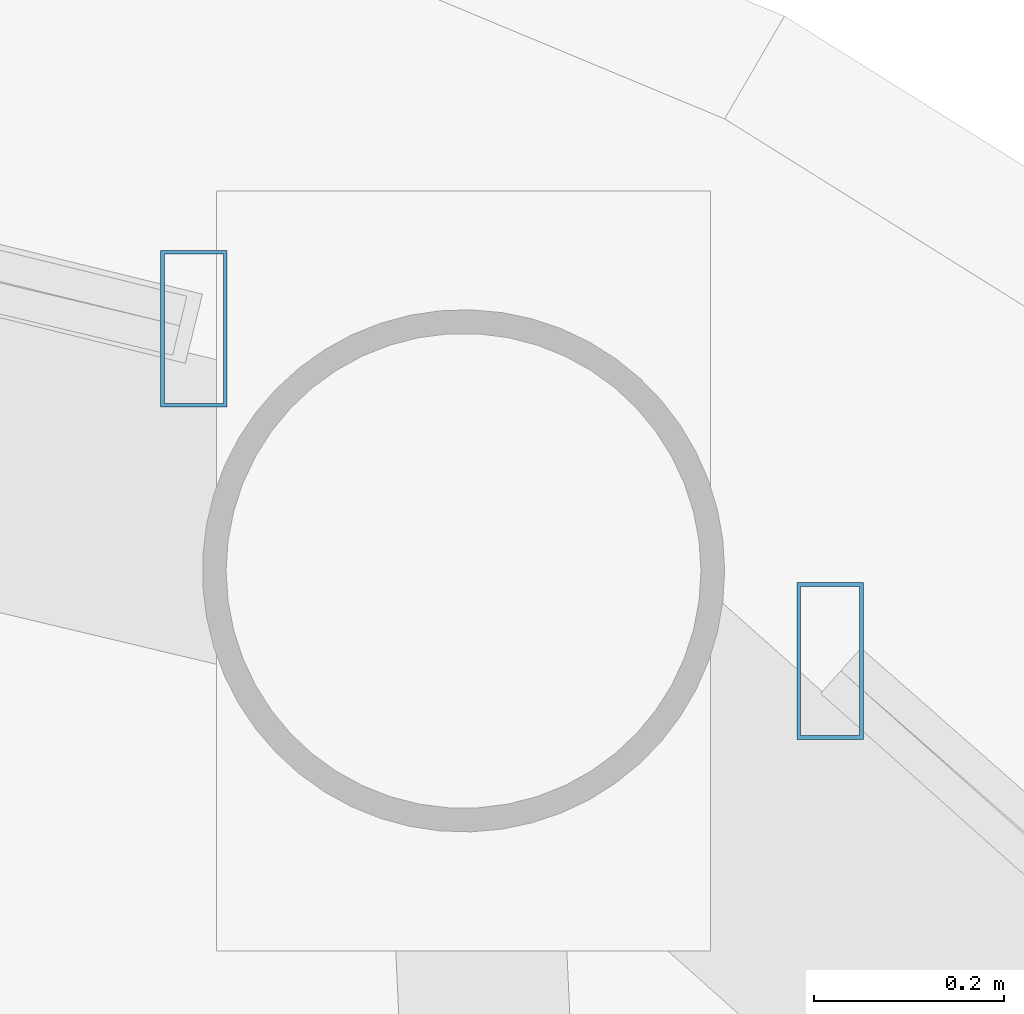
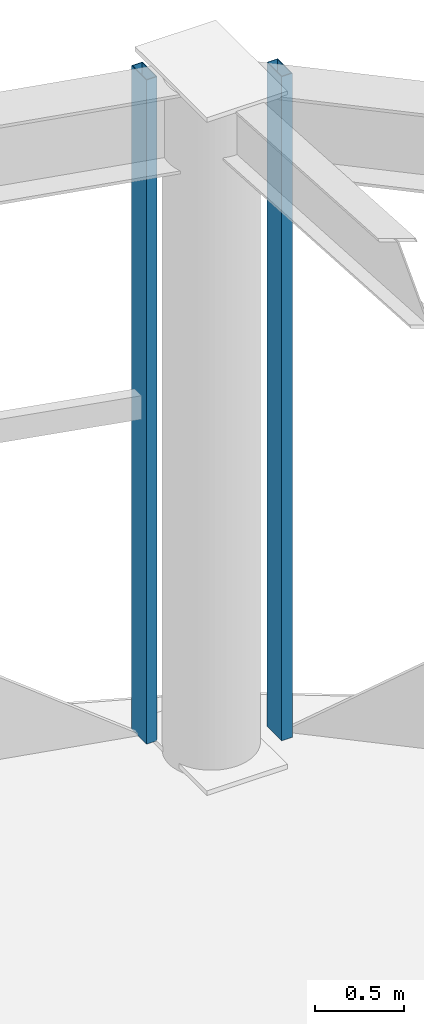
# One storey, part 11 of 22: 2 members, 2 elements without a shape of their own.
"""IFC4 building model written with IfcOpenShell, lengths in metres."""

import ifcopenshell
import ifcopenshell.guid

model = None  # the IFC model being written
_history = None  # IfcOwnerHistory: only IFC2X3 demands one
_inside = {}  # id of a spatial element -> (the spatial element, [elements in it])
_under = {}  # id of a project, library or spatial element -> (it, [spatial elements below it])
_declared = {}  # id of a project -> (the project, [libraries it declares])
_typed = {}  # id of a type object -> (the type object, [elements of that type])
_made_of = {}  # id of a material, layer set ... -> (it, [elements and type objects made of it])


def new_model(schema):
    """Start an empty IFC model of exactly this schema.

    Asked for "IFC4X3", IfcOpenShell would pick the latest addendum, in which some entities
    have other attributes; the version numbers below select the first issue.
    IFC2X3 requires an IfcOwnerHistory on every rooted entity: one is made here for all.
    """
    global model, _history
    if schema == "IFC4X3":
        model = ifcopenshell.file(schema_version=(4, 3, 0, 0))
    else:
        model = ifcopenshell.file(schema=schema)
    _inside.clear()
    _under.clear()
    _declared.clear()
    _typed.clear()
    _made_of.clear()
    _history = None
    if model.schema == "IFC2X3":
        org = make("IfcOrganization", Name="unknown")
        user = make(
            "IfcPersonAndOrganization",
            ThePerson=make("IfcPerson", FamilyName="unknown"),
            TheOrganization=org,
        )
        app = make(
            "IfcApplication",
            ApplicationDeveloper=org,
            Version="unknown",
            ApplicationFullName="unknown",
            ApplicationIdentifier="unknown",
        )
        _history = make(
            "IfcOwnerHistory",
            OwningUser=user,
            OwningApplication=app,
            ChangeAction="ADDED",
            CreationDate=0,
        )
    return model


def make(cls, **values):
    """One entity of the class cls with the attributes given. An attribute that is None is left unset."""
    return model.create_entity(
        cls, **{name: value for name, value in values.items() if value is not None}
    )


def rooted(cls, **values):
    """An entity with a GlobalId (a new one), such as an element, a storey or a relation."""
    return make(cls, GlobalId=ifcopenshell.guid.new(), OwnerHistory=_history, **values)


def si_unit(unit_type, name, prefix=None):
    """IfcSIUnit, for example si_unit("LENGTHUNIT", "METRE", prefix="MILLI")."""
    return make("IfcSIUnit", UnitType=unit_type, Prefix=prefix, Name=name)


def assignment(units):
    """IfcUnitAssignment: the units of a project."""
    return None if units is None else make("IfcUnitAssignment", Units=units)


def point(xyz):
    """IfcCartesianPoint."""
    return None if xyz is None else make("IfcCartesianPoint", Coordinates=xyz)


def direction(xyz):
    """IfcDirection."""
    return None if xyz is None else make("IfcDirection", DirectionRatios=xyz)


def frame(location, z_axis=None, x_axis=None):
    """IfcAxis2Placement3D, a coordinate frame: its origin and axes. An axis left out is left unset."""
    return make(
        "IfcAxis2Placement3D",
        Location=point(location),
        Axis=direction(z_axis),
        RefDirection=direction(x_axis),
    )


def frame_2d(location, x_axis=None):
    """IfcAxis2Placement2D, a coordinate frame in the plane: its origin and x axis."""
    return make(
        "IfcAxis2Placement2D", Location=point(location), RefDirection=direction(x_axis)
    )


def origin():
    """The frame at (0, 0, 0) with its axes left unset."""
    return frame((0.0, 0.0, 0.0))


def origin_2d():
    """The frame at (0, 0) in the plane with its x axis left unset."""
    return frame_2d((0.0, 0.0))


def place(relative_to, where):
    """IfcLocalPlacement: puts the frame where relative to a parent placement (None: the world)."""
    return make(
        "IfcLocalPlacement", PlacementRelTo=relative_to, RelativePlacement=where
    )


def context(
    kind, dimensions, precision=None, world=None, true_north=None, identifier=None
):
    """IfcGeometricRepresentationContext, for example the 3D "Model" context."""
    return make(
        "IfcGeometricRepresentationContext",
        ContextIdentifier=identifier,
        ContextType=kind,
        CoordinateSpaceDimension=dimensions,
        Precision=precision,
        WorldCoordinateSystem=world,
        TrueNorth=true_north,
    )


def subcontext(parent, identifier, kind, view, scale=None):
    """IfcGeometricRepresentationSubContext, for example "Body" below "Model"."""
    return make(
        "IfcGeometricRepresentationSubContext",
        ContextIdentifier=identifier,
        ContextType=kind,
        ParentContext=parent,
        TargetScale=scale,
        TargetView=view,
    )


def project(units=None, contexts=None):
    """IfcProject with its units and contexts."""
    return rooted(
        "IfcProject",
        Name="project",
        RepresentationContexts=contexts,
        UnitsInContext=assignment(units),
    )


def spatial(cls, under=None, at=None, **own):
    """A site, building, storey or space (cls), placed at a placement, below another one or the project."""
    s = rooted(cls, ObjectPlacement=at, **own)
    if under is not None:
        _under.setdefault(under.id(), (under, []))[1].append(s)
    return s


def profile(cls, at=None, kind="AREA", **sizes):
    """A parametric profile (cls). Its sizes go by their IFC names, for example OverallWidth=200.0."""
    return make(cls, ProfileType=kind, Position=at, **sizes)


def hollow_rectangle(**sizes):
    """IfcRectangleHollowProfileDef."""
    return profile("IfcRectangleHollowProfileDef", **sizes)


def extrude(swept, where, along, depth):
    """IfcExtrudedAreaSolid: the profile swept, set in the frame where, extruded along a direction by depth."""
    return make(
        "IfcExtrudedAreaSolid",
        SweptArea=swept,
        Position=where,
        ExtrudedDirection=direction(along),
        Depth=depth,
    )


def shape(context_of_items, identifier, shape_type, items):
    """IfcShapeRepresentation: the items that make up one representation, for example the "Body"."""
    return make(
        "IfcShapeRepresentation",
        ContextOfItems=context_of_items,
        RepresentationIdentifier=identifier,
        RepresentationType=shape_type,
        Items=items,
    )


def material(Name=None, Category=None):
    """IfcMaterial."""
    return make("IfcMaterial", Name=Name, Category=Category)


def layer(
    of_material, thickness, ventilated=None, Name=None, Category=None, Priority=None
):
    """IfcMaterialLayer: one layer of a wall or slab, of a material (None: an air gap)."""
    return make(
        "IfcMaterialLayer",
        Material=of_material,
        LayerThickness=thickness,
        IsVentilated=ventilated,
        Name=Name,
        Category=Category,
        Priority=Priority,
    )


def layer_set(layers, Name=None):
    """IfcMaterialLayerSet."""
    return make("IfcMaterialLayerSet", MaterialLayers=layers, LayerSetName=Name)


def material_profile(
    of_material, cross_section, Name=None, Category=None, Priority=None
):
    """IfcMaterialProfile: a cross section and its material."""
    return make(
        "IfcMaterialProfile",
        Name=Name,
        Material=of_material,
        Profile=cross_section,
        Priority=Priority,
        Category=Category,
    )


def profile_set(profiles, Name=None, composite=None):
    """IfcMaterialProfileSet."""
    return make(
        "IfcMaterialProfileSet",
        Name=Name,
        MaterialProfiles=profiles,
        CompositeProfile=composite,
    )


def made_of(thing, what):
    """Note that an element or type object is made of a material, layer set ...; save() writes the relation."""
    if what is not None:
        _made_of.setdefault(what.id(), (what, []))[1].append(thing)
    return thing


def type_object(cls, material=None, **own):
    """A type object (cls), such as IfcWallType, which elements share."""
    return made_of(rooted(cls, **own), material)


def element(
    cls,
    number,
    at=None,
    inside=None,
    cuts=None,
    type_object=None,
    material=None,
    context=None,
    identifier="Body",
    shape_type=None,
    held_by="IfcProductDefinitionShape",
    body=None,
    shapes=None,
    **own,
):
    """One element of the class cls, such as IfcWall. Its Tag is "e" and its number.

    at: its placement. inside: the storey or other place that contains it. cuts: it is an
    opening in that element (IfcRelVoidsElement). A single representation is given by context,
    identifier, shape_type and body (its items); several are given by shapes. held_by: the class
    of the entity that holds the representations. save() writes the other relations.
    """
    e = rooted(cls, Tag="e%d" % number, ObjectPlacement=at, **own)
    if body is not None:
        shapes = [shape(context, identifier, shape_type, body)]
    if shapes is not None:
        e.Representation = make(held_by, Representations=shapes)
    if inside is not None:
        _inside.setdefault(inside.id(), (inside, []))[1].append(e)
    if cuts is not None:
        rooted(
            "IfcRelVoidsElement", RelatingBuildingElement=cuts, RelatedOpeningElement=e
        )
    if type_object is not None:
        _typed.setdefault(type_object.id(), (type_object, []))[1].append(e)
    return made_of(e, material)


def aggregate(whole, parts):
    """IfcRelAggregates: a whole, such as a stair, and the parts it consists of."""
    return rooted("IfcRelAggregates", RelatingObject=whole, RelatedObjects=parts)


def save(model, path):
    """Write the relations noted so far, then the file.

    IfcRelAggregates (storeys below a building ...), IfcRelContainedInSpatialStructure (elements
    in a storey), IfcRelDefinesByType, IfcRelAssociatesMaterial and IfcRelDeclares: one each for
    every whole, place, type object, material and project.
    """
    for whole, parts in _under.values():
        aggregate(whole, parts)
    for where, things in _inside.values():
        rooted(
            "IfcRelContainedInSpatialStructure",
            RelatedElements=things,
            RelatingStructure=where,
        )
    for kind, things in _typed.values():
        rooted("IfcRelDefinesByType", RelatedObjects=things, RelatingType=kind)
    for what, things in _made_of.values():
        rooted("IfcRelAssociatesMaterial", RelatedObjects=things, RelatingMaterial=what)
    for by, libraries in _declared.values():
        rooted("IfcRelDeclares", RelatingContext=by, RelatedDefinitions=libraries)
    model.write(path)


model = new_model("IFC4")

# Units and contexts
model_context = context("Model", 3, precision=1e-05, world=origin(), true_north=direction((0.0, 1.0)))
body_context = subcontext(model_context, "Body", "Model", "MODEL_VIEW")
ifc_project = project(units=[si_unit("LENGTHUNIT", "METRE"), si_unit("AREAUNIT", "SQUARE_METRE"), si_unit("VOLUMEUNIT", "CUBIC_METRE"), si_unit("PLANEANGLEUNIT", "RADIAN"), si_unit("MASSUNIT", "GRAM", prefix="KILO")], contexts=[model_context])

# Site, building, storey
site_placement = place(None, origin())
site = spatial("IfcSite", under=ifc_project, at=site_placement, CompositionType="ELEMENT")
building_placement = place(site_placement, origin())
building = spatial("IfcBuilding", under=site, at=building_placement, Name="Vantalir Tower", CompositionType="ELEMENT")
storey_placement = place(building_placement, frame((0.0, 0.0, 294.89990234375)))
storey = spatial("IfcBuildingStorey", under=building, at=storey_placement, Name="L74", CompositionType="ELEMENT", Elevation=294.89990234375)

# Curtain wall, member
ifc_material_1 = material(Name="Champagne-silver PVDF aluminium and double-silver Low-E glass", Category="aluminium")
ifc_layer = layer(ifc_material_1, 0.219970703125)
ifc_layer_set = layer_set([ifc_layer], Name="Champagne-silver PVDF aluminium and double-silver Low-E glass")
curtain_wall_type = type_object("IfcCurtainWallType", Name="CW-DIAMOND-Z4", PredefinedType="USERDEFINED", material=ifc_layer_set)
curtain_wall_1_placement = place(storey_placement, origin())
curtain_wall_1 = element("IfcCurtainWall", 1, at=curtain_wall_1_placement, inside=storey, type_object=curtain_wall_type, Name="L74 Quilted Pyramid-Diamond Curtain Wall S02", ObjectType="UNITISED CURTAIN WALL", PredefinedType="USERDEFINED")
ifc_material_2 = material(Name="Champagne-silver PVDF aluminium 6063-T6", Category="aluminium")
ifc_material_profile = material_profile(ifc_material_2, hollow_rectangle(XDim=0.070068359375, YDim=0.1650390625, WallThickness=0.00390625, at=origin_2d()), Name="Champagne-silver PVDF aluminium 6063-T6")
ifc_profile_set = profile_set([ifc_material_profile], Name="Champagne-silver PVDF aluminium 6063-T6")
member_type = type_object("IfcMemberType", Name="CWM-165x70", PredefinedType="MULLION", material=ifc_profile_set)
member_1_placement = place(storey_placement, frame((41.166015625, 39.205078125, 0.045166015625), z_axis=(0.0, 0.0, 1.0), x_axis=(1.0, 0.0, 0.0)))
member_1 = element("IfcMember", 2, at=member_1_placement, type_object=member_type, Name="CW-L74-S02 Mullion 2", PredefinedType="MULLION", context=body_context, shape_type="SweptSolid", body=[
    extrude(hollow_rectangle(XDim=0.070068359375, YDim=0.1650390625, WallThickness=0.00390625, at=origin_2d()), origin(), (0.0, 0.0, 1.0), 4.530029296875),
])
aggregate(curtain_wall_1, [member_1])

curtain_wall_2_placement = place(storey_placement, origin())
curtain_wall_2 = element("IfcCurtainWall", 3, at=curtain_wall_2_placement, inside=storey, type_object=curtain_wall_type, Name="L74 Quilted Pyramid-Diamond Curtain Wall S03", ObjectType="UNITISED CURTAIN WALL", PredefinedType="USERDEFINED")
member_2_placement = place(storey_placement, frame((40.49609375, 39.554931640625, 0.045166015625), z_axis=(0.0, 0.0, 1.0), x_axis=(1.0, 0.0, 0.0)))
member_2 = element("IfcMember", 4, at=member_2_placement, type_object=member_type, Name="CW-L74-S03 Mullion 1", PredefinedType="MULLION", context=body_context, shape_type="SweptSolid", body=[
    extrude(hollow_rectangle(XDim=0.070068359375, YDim=0.1650390625, WallThickness=0.00390625, at=origin_2d()), origin(), (0.0, 0.0, 1.0), 4.530029296875),
])
aggregate(curtain_wall_2, [member_2])

save(model, "model.ifc")
